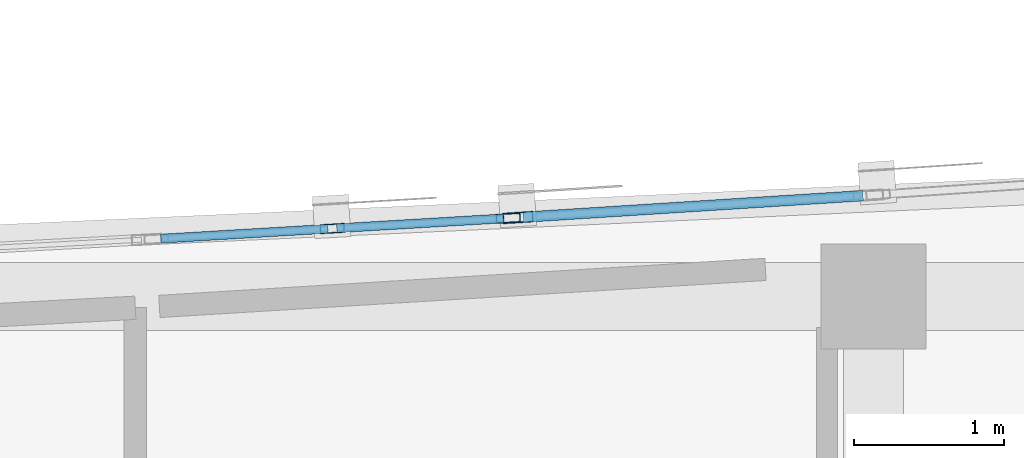
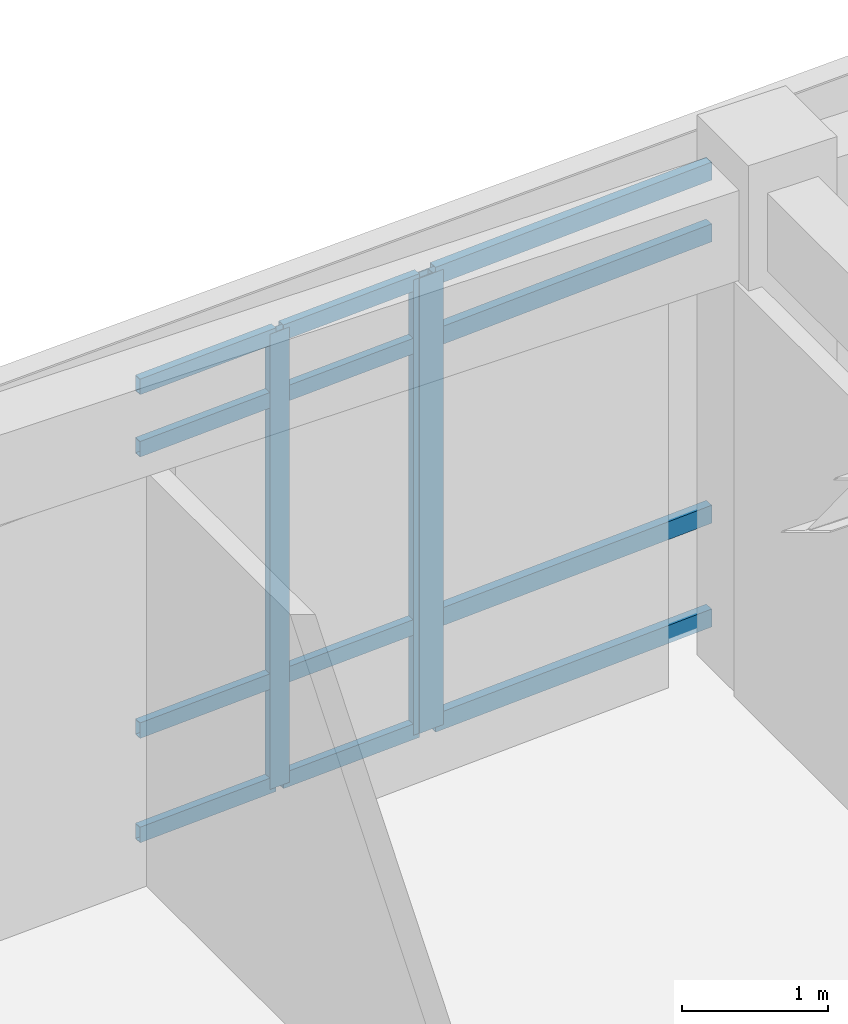
# One storey, part 27 of 106: 15 members, 2 elements without a shape of their own.
"""IFC4 building model written with IfcOpenShell, lengths in metres."""

from ifc_helpers import new_model, si_unit, direction, frame, origin, origin_2d, place, context, subcontext, project, spatial, hollow_rectangle, extrude, material, layer, layer_set, material_profile, profile_set, type_object, element, aggregate, save


model = new_model("IFC4")

# Units and contexts
model_context = context("Model", 3, precision=1e-05, world=origin(), true_north=direction((0.0, 1.0)))
body_context = subcontext(model_context, "Body", "Model", "MODEL_VIEW")
ifc_project = project(units=[si_unit("LENGTHUNIT", "METRE"), si_unit("AREAUNIT", "SQUARE_METRE"), si_unit("VOLUMEUNIT", "CUBIC_METRE"), si_unit("PLANEANGLEUNIT", "RADIAN"), si_unit("MASSUNIT", "GRAM", prefix="KILO")], contexts=[model_context])

# Site, building, storey
site_placement = place(None, origin())
site = spatial("IfcSite", under=ifc_project, at=site_placement, CompositionType="ELEMENT")
building_placement = place(site_placement, origin())
building = spatial("IfcBuilding", under=site, at=building_placement, Name="Carrowvane Square Congress Hotel", CompositionType="ELEMENT")
storey_placement = place(building_placement, frame((0.0, 0.0, 10.5)))
storey = spatial("IfcBuildingStorey", under=building, at=storey_placement, Name="L02", CompositionType="ELEMENT", Elevation=10.5)

# Curtain wall, members
ifc_material_1 = material(Name="Anodised aluminium", Category="aluminium")
ifc_layer_1 = layer(ifc_material_1, 0.2099609375)
ifc_layer_set_1 = layer_set([ifc_layer_1], Name="Anodised aluminium")
curtain_wall_type_1 = type_object("IfcCurtainWallType", Name="CW-SYS-5", PredefinedType="NOTDEFINED", material=ifc_layer_set_1)
curtain_wall_1_placement = place(storey_placement, origin())
curtain_wall_1 = element("IfcCurtainWall", 1, at=curtain_wall_1_placement, inside=storey, type_object=curtain_wall_type_1, Name="L02 unitised curtain wall 132", PredefinedType="NOTDEFINED")
ifc_material_2 = material(Name="Anodised aluminium", Category="aluminium")
ifc_material_profile_1 = material_profile(ifc_material_2, hollow_rectangle(XDim=0.06005859375, YDim=0.159912109375, WallThickness=0.00390625, at=origin_2d()), Name="CW-ML 60x160x4")
ifc_profile_set_1 = profile_set([ifc_material_profile_1], Name="Anodised aluminium")
member_type_1 = type_object("IfcMemberType", Name="CW-MUL-1", PredefinedType="MULLION", material=ifc_profile_set_1)
member_1_placement = place(storey_placement, frame((44.0, 113.852294921875, 0.0), z_axis=(0.0, 0.0, 1.0), x_axis=(-0.058988522254, 0.99825866099, 0.0)))
member_1 = element("IfcMember", 2, at=member_1_placement, type_object=member_type_1, Name="CW-5 mullion 2", PredefinedType="MULLION", context=body_context, shape_type="SweptSolid", body=[
    extrude(hollow_rectangle(XDim=0.06005859375, YDim=0.159912109375, WallThickness=0.00390625, at=origin_2d()), origin(), (0.0, 0.0, 1.0), 3.795654296875),
])
member_2_placement = place(storey_placement, frame((45.170166015625, 113.92138671875, 0.0), z_axis=(0.0, 0.0, 1.0), x_axis=(-0.058988522254, 0.99825866099, 0.0)))
member_2 = element("IfcMember", 3, at=member_2_placement, type_object=member_type_1, Name="CW-5 mullion 3", PredefinedType="MULLION", context=body_context, shape_type="SweptSolid", body=[
    extrude(hollow_rectangle(XDim=0.06005859375, YDim=0.159912109375, WallThickness=0.00390625, at=origin_2d()), origin(), (0.0, 0.0, 1.0), 3.795654296875),
])

# Curtain wall, member
ifc_material_3 = material(Name="Anodised aluminium", Category="aluminium")
ifc_layer_2 = layer(ifc_material_3, 0.221923828125)
ifc_layer_set_2 = layer_set([ifc_layer_2], Name="Anodised aluminium")
curtain_wall_type_2 = type_object("IfcCurtainWallType", Name="CW-SYS-6", PredefinedType="NOTDEFINED", material=ifc_layer_set_2)
curtain_wall_2_placement = place(storey_placement, origin())
curtain_wall_2 = element("IfcCurtainWall", 4, at=curtain_wall_2_placement, inside=storey, type_object=curtain_wall_type_2, Name="L02 unitised curtain wall 133", PredefinedType="NOTDEFINED")
ifc_material_4 = material(Name="Anodised aluminium", Category="aluminium")
ifc_material_profile_2 = material_profile(ifc_material_4, hollow_rectangle(XDim=0.070068359375, YDim=0.199951171875, WallThickness=0.0048828125, at=origin_2d()), Name="CW-ML 70x200x5")
ifc_profile_set_2 = profile_set([ifc_material_profile_2], Name="Anodised aluminium")
member_type_2 = type_object("IfcMemberType", Name="CW-MUL-2", PredefinedType="MULLION", material=ifc_profile_set_2)
member_3_placement = place(storey_placement, frame((45.23486328125, 113.92529296875, 0.0), z_axis=(0.0, 0.0, 1.0), x_axis=(-0.063273487972, 0.997996225303, 0.0)))
member_3 = element("IfcMember", 5, at=member_3_placement, type_object=member_type_2, Name="CW-6 mullion 1", PredefinedType="MULLION", context=body_context, shape_type="SweptSolid", body=[
    extrude(hollow_rectangle(XDim=0.070068359375, YDim=0.199951171875, WallThickness=0.0048828125, at=origin_2d()), origin(), (0.0, 0.0, 1.0), 3.795654296875),
])

# Member
ifc_material_5 = material(Name="Anodised aluminium", Category="aluminium")
ifc_material_profile_3 = material_profile(ifc_material_5, hollow_rectangle(XDim=0.06005859375, YDim=0.1298828125, WallThickness=0.00390625, at=origin_2d()), Name="CW-TR 60x130x4")
ifc_profile_set_3 = profile_set([ifc_material_profile_3], Name="Anodised aluminium")
member_type_3 = type_object("IfcMemberType", Name="CW-TRN-1", PredefinedType="USERDEFINED", material=ifc_profile_set_3)
member_4_placement = place(storey_placement, frame((42.85986328125, 113.784912109375, 0.030029296875), z_axis=(0.998254634076, 0.05905662999, 0.0), x_axis=(-0.05905662999, 0.998254634076, 0.0)))
member_4 = element("IfcMember", 6, at=member_4_placement, type_object=member_type_3, Name="CW-5 transom 1.1", ObjectType="TRANSOM", PredefinedType="USERDEFINED", context=body_context, shape_type="SweptSolid", body=[
    extrude(hollow_rectangle(XDim=0.06005859375, YDim=0.1298828125, WallThickness=0.00390625, at=origin_2d()), origin(), (0.0, 0.0, 1.0), 1.112060546875),
])

member_5_placement = place(storey_placement, frame((42.85986328125, 113.784912109375, 0.89990234375), z_axis=(0.998254634076, 0.05905662999, 0.0), x_axis=(-0.05905662999, 0.998254634076, 0.0)))
member_5 = element("IfcMember", 7, at=member_5_placement, type_object=member_type_3, Name="CW-5 transom 1.2", ObjectType="TRANSOM", PredefinedType="USERDEFINED", context=body_context, shape_type="SweptSolid", body=[
    extrude(hollow_rectangle(XDim=0.06005859375, YDim=0.1298828125, WallThickness=0.00390625, at=origin_2d()), origin(), (0.0, 0.0, 1.0), 1.112060546875),
])

member_6_placement = place(storey_placement, frame((42.85986328125, 113.784912109375, 3.24560546875), z_axis=(0.998254634076, 0.05905662999, 0.0), x_axis=(-0.05905662999, 0.998254634076, 0.0)))
member_6 = element("IfcMember", 8, at=member_6_placement, type_object=member_type_3, Name="CW-5 transom 1.3", ObjectType="TRANSOM", PredefinedType="USERDEFINED", context=body_context, shape_type="SweptSolid", body=[
    extrude(hollow_rectangle(XDim=0.06005859375, YDim=0.1298828125, WallThickness=0.00390625, at=origin_2d()), origin(), (0.0, 0.0, 1.0), 1.112060546875),
])

member_7_placement = place(storey_placement, frame((42.85986328125, 113.784912109375, 3.765625), z_axis=(0.998254634076, 0.05905662999, 0.0), x_axis=(-0.05905662999, 0.998254634076, 0.0)))
member_7 = element("IfcMember", 9, at=member_7_placement, type_object=member_type_3, Name="CW-5 transom 1.4", ObjectType="TRANSOM", PredefinedType="USERDEFINED", context=body_context, shape_type="SweptSolid", body=[
    extrude(hollow_rectangle(XDim=0.06005859375, YDim=0.1298828125, WallThickness=0.00390625, at=origin_2d()), origin(), (0.0, 0.0, 1.0), 1.112060546875),
])

member_8_placement = place(storey_placement, frame((44.030029296875, 113.85400390625, 0.030029296875), z_axis=(0.998254634076, 0.05905662999, 0.0), x_axis=(-0.05905662999, 0.998254634076, 0.0)))
member_8 = element("IfcMember", 10, at=member_8_placement, type_object=member_type_3, Name="CW-5 transom 2.1", ObjectType="TRANSOM", PredefinedType="USERDEFINED", context=body_context, shape_type="SweptSolid", body=[
    extrude(hollow_rectangle(XDim=0.06005859375, YDim=0.1298828125, WallThickness=0.00390625, at=origin_2d()), origin(), (0.0, 0.0, 1.0), 1.112060546875),
])

member_9_placement = place(storey_placement, frame((44.030029296875, 113.85400390625, 0.89990234375), z_axis=(0.998254634076, 0.05905662999, 0.0), x_axis=(-0.05905662999, 0.998254634076, 0.0)))
member_9 = element("IfcMember", 11, at=member_9_placement, type_object=member_type_3, Name="CW-5 transom 2.2", ObjectType="TRANSOM", PredefinedType="USERDEFINED", context=body_context, shape_type="SweptSolid", body=[
    extrude(hollow_rectangle(XDim=0.06005859375, YDim=0.1298828125, WallThickness=0.00390625, at=origin_2d()), origin(), (0.0, 0.0, 1.0), 1.112060546875),
])

member_10_placement = place(storey_placement, frame((44.030029296875, 113.85400390625, 3.24560546875), z_axis=(0.998254634076, 0.05905662999, 0.0), x_axis=(-0.05905662999, 0.998254634076, 0.0)))
member_10 = element("IfcMember", 12, at=member_10_placement, type_object=member_type_3, Name="CW-5 transom 2.3", ObjectType="TRANSOM", PredefinedType="USERDEFINED", context=body_context, shape_type="SweptSolid", body=[
    extrude(hollow_rectangle(XDim=0.06005859375, YDim=0.1298828125, WallThickness=0.00390625, at=origin_2d()), origin(), (0.0, 0.0, 1.0), 1.112060546875),
])

member_11_placement = place(storey_placement, frame((44.030029296875, 113.85400390625, 3.765625), z_axis=(0.998254634076, 0.05905662999, 0.0), x_axis=(-0.05905662999, 0.998254634076, 0.0)))
member_11 = element("IfcMember", 13, at=member_11_placement, type_object=member_type_3, Name="CW-5 transom 2.4", ObjectType="TRANSOM", PredefinedType="USERDEFINED", context=body_context, shape_type="SweptSolid", body=[
    extrude(hollow_rectangle(XDim=0.06005859375, YDim=0.1298828125, WallThickness=0.00390625, at=origin_2d()), origin(), (0.0, 0.0, 1.0), 1.112060546875),
])

aggregate(curtain_wall_1, [member_1, member_2, member_4, member_5, member_6, member_7, member_8, member_9, member_10, member_11])

ifc_material_6 = material(Name="Anodised aluminium", Category="aluminium")
ifc_material_profile_4 = material_profile(ifc_material_6, hollow_rectangle(XDim=0.070068359375, YDim=0.14990234375, WallThickness=0.0048828125, at=origin_2d()), Name="CW-TR 70x150x5")
ifc_profile_set_4 = profile_set([ifc_material_profile_4], Name="Anodised aluminium")
member_type_4 = type_object("IfcMemberType", Name="CW-TRN-2", PredefinedType="USERDEFINED", material=ifc_profile_set_4)
member_12_placement = place(storey_placement, frame((45.269775390625, 113.927490234375, 0.034912109375), z_axis=(0.997995967248, 0.063277558088, 0.0), x_axis=(-0.063277558088, 0.997995967248, 0.0)))
member_12 = element("IfcMember", 14, at=member_12_placement, type_object=member_type_4, Name="CW-6 transom 1.1", ObjectType="TRANSOM", PredefinedType="USERDEFINED", context=body_context, shape_type="SweptSolid", body=[
    extrude(hollow_rectangle(XDim=0.070068359375, YDim=0.14990234375, WallThickness=0.0048828125, at=origin_2d()), origin(), (0.0, 0.0, 1.0), 2.264892578125),
])

member_13_placement = place(storey_placement, frame((45.269775390625, 113.927490234375, 0.89990234375), z_axis=(0.997995967248, 0.063277558088, 0.0), x_axis=(-0.063277558088, 0.997995967248, 0.0)))
member_13 = element("IfcMember", 15, at=member_13_placement, type_object=member_type_4, Name="CW-6 transom 1.2", ObjectType="TRANSOM", PredefinedType="USERDEFINED", context=body_context, shape_type="SweptSolid", body=[
    extrude(hollow_rectangle(XDim=0.070068359375, YDim=0.14990234375, WallThickness=0.0048828125, at=origin_2d()), origin(), (0.0, 0.0, 1.0), 2.264892578125),
])

member_14_placement = place(storey_placement, frame((45.269775390625, 113.927490234375, 3.24560546875), z_axis=(0.997995967248, 0.063277558088, 0.0), x_axis=(-0.063277558088, 0.997995967248, 0.0)))
member_14 = element("IfcMember", 16, at=member_14_placement, type_object=member_type_4, Name="CW-6 transom 1.3", ObjectType="TRANSOM", PredefinedType="USERDEFINED", context=body_context, shape_type="SweptSolid", body=[
    extrude(hollow_rectangle(XDim=0.070068359375, YDim=0.14990234375, WallThickness=0.0048828125, at=origin_2d()), origin(), (0.0, 0.0, 1.0), 2.264892578125),
])

member_15_placement = place(storey_placement, frame((45.269775390625, 113.927490234375, 3.760498046875), z_axis=(0.997995967248, 0.063277558088, 0.0), x_axis=(-0.063277558088, 0.997995967248, 0.0)))
member_15 = element("IfcMember", 17, at=member_15_placement, type_object=member_type_4, Name="CW-6 transom 1.4", ObjectType="TRANSOM", PredefinedType="USERDEFINED", context=body_context, shape_type="SweptSolid", body=[
    extrude(hollow_rectangle(XDim=0.070068359375, YDim=0.14990234375, WallThickness=0.0048828125, at=origin_2d()), origin(), (0.0, 0.0, 1.0), 2.264892578125),
])

aggregate(curtain_wall_2, [member_3, member_12, member_13, member_14, member_15])

save(model, "model.ifc")
